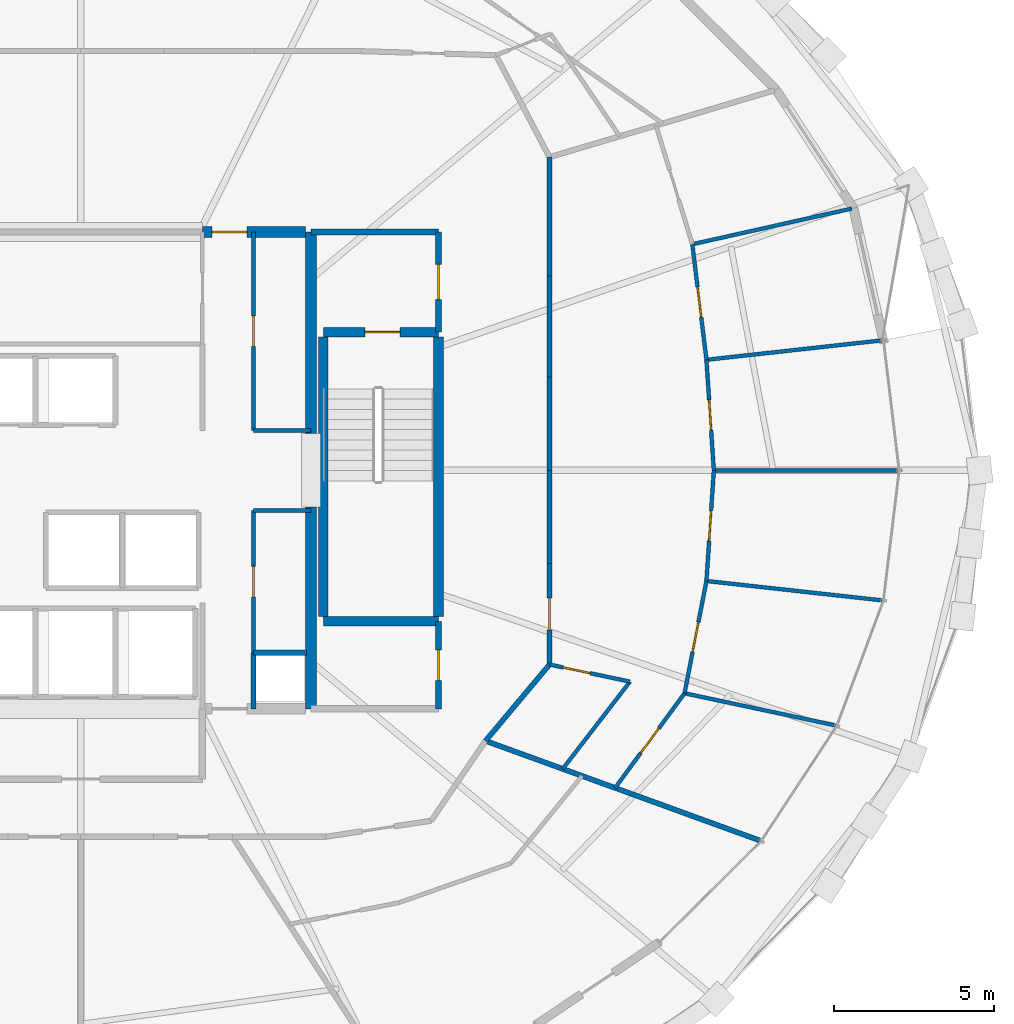
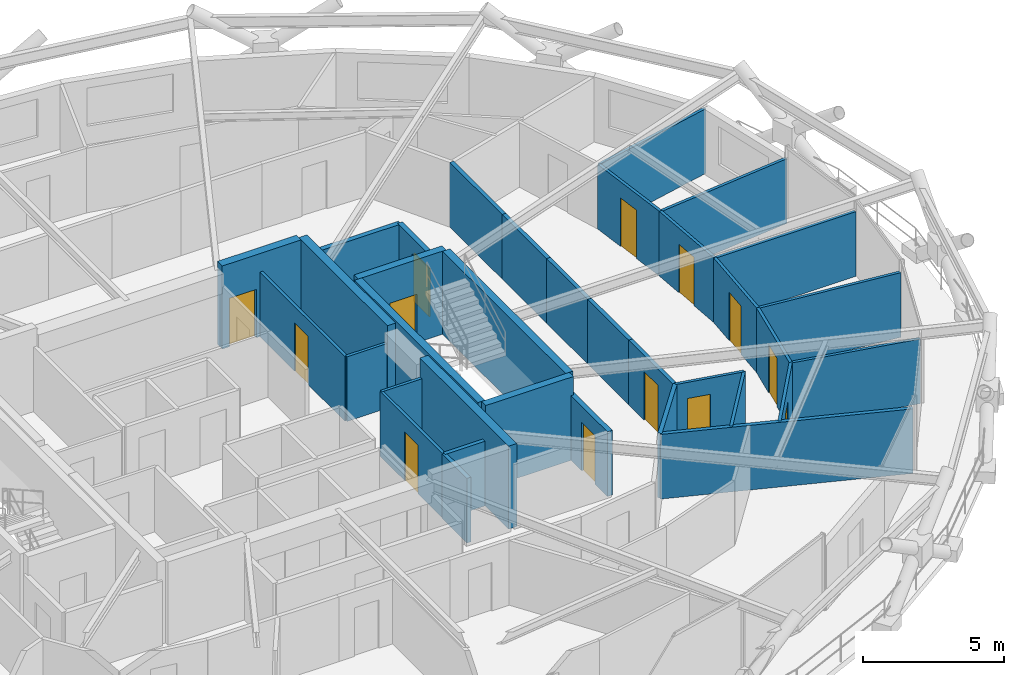
# One storey, part 16 of 19: 35 walls, 13 doors, 13 openings.
"""IFC4 building model written with IfcOpenShell, lengths in metres."""

from ifc_helpers import new_model, si_unit, direction, frame, frame_2d, origin, place, context, subcontext, project, spatial, rectangle, extrude, material, layer, layer_set, type_object, element, fill, save


model = new_model("IFC4")

# Units and contexts
model_context = context("Model", 3, precision=1e-05, world=origin(), true_north=direction((0.0, 1.0)))
body_context = subcontext(model_context, "Body", "Model", "MODEL_VIEW")
ifc_project = project(units=[si_unit("LENGTHUNIT", "METRE"), si_unit("AREAUNIT", "SQUARE_METRE"), si_unit("VOLUMEUNIT", "CUBIC_METRE"), si_unit("PLANEANGLEUNIT", "RADIAN"), si_unit("MASSUNIT", "GRAM", prefix="KILO")], contexts=[model_context])

# Site, building, storey
site_placement = place(None, origin())
site = spatial("IfcSite", under=ifc_project, at=site_placement, CompositionType="ELEMENT")
building_placement = place(site_placement, origin())
building = spatial("IfcBuilding", under=site, at=building_placement, Name="Veldorina Hangang Commons", CompositionType="ELEMENT")
storey_placement = place(building_placement, frame((0.0, 0.0, 167.60009765625)))
storey = spatial("IfcBuildingStorey", under=building, at=storey_placement, Name="L43", CompositionType="ELEMENT", Elevation=167.60009765625)

# Walls
ifc_material_1 = material(Name="Concrete C60/75", Category="concrete")
ifc_layer_1 = layer(ifc_material_1, 0.340087890625)
ifc_layer_set_1 = layer_set([ifc_layer_1], Name="Concrete C60/75")
wall_type_1 = type_object("IfcWallType", Name="CW-RC340-C60", PredefinedType="SHEAR", material=ifc_layer_set_1)
for number, where, z_axis, x_axis, name in (
    (1, (39.199951171875, 16.550048828125, 0.0), (0.0, 0.0, 1.0), (0.0, 1.0, 0.0), "L43 E south core shear wall"),
    (2, (39.199951171875, 25.14990234375, 0.0), (0.0, 0.0, 1.0), (0.0, 1.0, 0.0), "L43 E north core shear wall"),
):
    element("IfcWall", number, at=place(storey_placement, frame(where, z_axis=z_axis, x_axis=x_axis)), inside=storey, type_object=wall_type_1, Name=name, PredefinedType="SHEAR", context=body_context, shape_type="SweptSolid", body=[
        extrude(rectangle(XDim=6.300048828125, YDim=0.340087890625, at=frame_2d((3.14990234375, 0.0))), origin(), (0.0, 0.0, 1.0), 3.599853515625),
    ])

# Wall, opening, door
wall_1_placement = place(storey_placement, frame((35.800048828125, 31.449951171875, 0.0), z_axis=(0.0, 0.0, 1.0), x_axis=(1.0, 0.0, 0.0)))
wall_1 = element("IfcWall", 3, at=wall_1_placement, inside=storey, type_object=wall_type_1, Name="L43 north-east core shear wall", PredefinedType="SHEAR", context=body_context, shape_type="SweptSolid", body=[
    extrude(rectangle(XDim=3.22998046875, YDim=0.340087890625, at=frame_2d((1.614990234375, 0.0))), origin(), (0.0, 0.0, 1.0), 3.599853515625),
])
opening_1_placement = place(wall_1_placement, frame((0.300048828125, 0.0, 0.0)))
opening_1 = element("IfcOpeningElement", 4, at=opening_1_placement, cuts=wall_1, Name="Opening D-08", PredefinedType="OPENING", context=body_context, shape_type="SweptSolid", body=[
    extrude(rectangle(XDim=1.10009765625, YDim=2.10009765625, at=frame_2d((0.550048828125, 1.050048828125))), frame((0.0, 0.18017578125, 0.0), z_axis=(0.0, -1.0, 0.0), x_axis=(1.0, 0.0, 0.0)), (0.0, 0.0, 1.0), 0.360107421875),
])
ifc_material_2 = material(Name="Steel Fire-Rated Smoke Seal", Category="steel")
door_type_1 = type_object("IfcDoorType", Name="DR-FIRE-1100", OperationType="SINGLE_SWING_RIGHT", PredefinedType="DOOR", material=ifc_material_2)
door_1_placement = place(opening_1_placement, origin())
door_1 = element("IfcDoor", 5, at=door_1_placement, inside=storey, type_object=door_type_1, Name="L43 central lift lobby north corridor door", OperationType="SINGLE_SWING_LEFT", OverallHeight=2.10009765625, OverallWidth=1.10009765625, PredefinedType="DOOR", context=body_context, shape_type="SweptSolid", body=[
    extrude(rectangle(XDim=1.10009765625, YDim=2.10009765625, at=frame_2d((0.550048828125, 1.050048828125))), frame((0.0, 0.02490234375, 0.0), z_axis=(0.0, -1.0, 0.0), x_axis=(1.0, 0.0, 0.0)), (0.0, 0.0, 1.0), 0.050048828125),
])
fill(opening_1, door_1)

# Walls
ifc_material_3 = material(Name="Concrete C50/60", Category="concrete")
ifc_layer_2 = layer(ifc_material_3, 0.300048828125)
ifc_layer_set_2 = layer_set([ifc_layer_2], Name="Concrete C50/60")
wall_type_2 = type_object("IfcWallType", Name="SW-STAIR-300", PredefinedType="SHEAR", material=ifc_layer_set_2)
for number, where, z_axis, x_axis, name in (
    (6, (43.179931640625, 19.429931640625, 0.0), (0.0, 0.0, 1.0), (0.0, 1.0, 0.0), "L43 ST2 outer stair shear wall"),
    (7, (39.580078125, 19.429931640625, 0.0), (0.0, 0.0, 1.0), (0.0, 1.0, 0.0), "L43 ST2 inner stair shear wall"),
):
    element("IfcWall", number, at=place(storey_placement, frame(where, z_axis=z_axis, x_axis=x_axis)), inside=storey, type_object=wall_type_2, Name=name, PredefinedType="SHEAR", context=body_context, shape_type="SweptSolid", body=[
        extrude(rectangle(XDim=8.739990234375, YDim=0.300048828125, at=frame_2d((4.3701171875, 0.0))), origin(), (0.0, 0.0, 1.0), 3.599853515625),
    ])
wall_2_placement = place(storey_placement, frame((39.580078125, 19.280029296875, 0.0), z_axis=(0.0, 0.0, 1.0), x_axis=(1.0, 0.0, 0.0)))
element("IfcWall", 8, at=wall_2_placement, inside=storey, type_object=wall_type_2, Name="L43 ST2 south stair shear wall", PredefinedType="SHEAR", context=body_context, shape_type="SweptSolid", body=[
    extrude(rectangle(XDim=3.599853515625, YDim=0.300048828125, at=frame_2d((1.7998046875, 0.0))), origin(), (0.0, 0.0, 1.0), 3.599853515625),
])

# Wall, opening, door
wall_3_placement = place(storey_placement, frame((39.580078125, 28.320068359375, 0.0), z_axis=(0.0, 0.0, 1.0), x_axis=(1.0, 0.0, 0.0)))
wall_3 = element("IfcWall", 9, at=wall_3_placement, inside=storey, type_object=wall_type_2, Name="L43 ST2 north stair shear wall", PredefinedType="SHEAR", context=body_context, shape_type="SweptSolid", body=[
    extrude(rectangle(XDim=3.599853515625, YDim=0.300048828125, at=frame_2d((1.7998046875, 0.0))), origin(), (0.0, 0.0, 1.0), 3.599853515625),
])
opening_2_placement = place(wall_3_placement, frame((1.300048828125, 0.0, 0.0)))
opening_2 = element("IfcOpeningElement", 10, at=opening_2_placement, cuts=wall_3, Name="Opening D-08", PredefinedType="OPENING", context=body_context, shape_type="SweptSolid", body=[
    extrude(rectangle(XDim=1.10009765625, YDim=2.10009765625, at=frame_2d((0.550048828125, 1.050048828125))), frame((0.0, 0.16015625, 0.0), z_axis=(0.0, -1.0, 0.0), x_axis=(1.0, 0.0, 0.0)), (0.0, 0.0, 1.0), 0.320068359375),
])
door_2_placement = place(opening_2_placement, origin())
door_2 = element("IfcDoor", 11, at=door_2_placement, inside=storey, type_object=door_type_1, Name="L43 Special Escape Stair ST-2 door", OperationType="SINGLE_SWING_RIGHT", OverallHeight=2.10009765625, OverallWidth=1.10009765625, PredefinedType="DOOR", context=body_context, shape_type="SweptSolid", body=[
    extrude(rectangle(XDim=1.10009765625, YDim=2.10009765625, at=frame_2d((0.550048828125, 1.050048828125))), frame((0.0, 0.02490234375, 0.0), z_axis=(0.0, -1.0, 0.0), x_axis=(1.0, 0.0, 0.0)), (0.0, 0.0, 1.0), 0.050048828125),
])
fill(opening_2, door_2)

# Walls
ifc_material_4 = material(Name="Gypsum Fire-Rated Twin Stud Wall", Category="gypsum")
ifc_layer_3 = layer(ifc_material_4, 0.159912109375)
ifc_layer_set_3 = layer_set([ifc_layer_3], Name="Gypsum Fire-Rated Twin Stud Wall")
wall_type_3 = type_object("IfcWallType", Name="WL-FIRE-160", PredefinedType="SOLIDWALL", material=ifc_layer_set_3)
wall_4_placement = place(storey_placement, frame((37.39990234375, 16.550048828125, 0.0), z_axis=(0.0, 0.0, 1.0), x_axis=(0.0, 1.0, 0.0)))
element("IfcWall", 12, at=wall_4_placement, inside=storey, type_object=wall_type_3, Name="L43 Lift passage SE stub 010", PredefinedType="SOLIDWALL", context=body_context, shape_type="SweptSolid", body=[
    extrude(rectangle(XDim=1.75, YDim=0.159912109375, at=frame_2d((0.875, 0.0))), origin(), (0.0, 0.0, 1.0), 2.7998046875),
])
wall_5_placement = place(storey_placement, frame((37.39990234375, 18.300048828125, 0.0), z_axis=(0.0, 0.0, 1.0), x_axis=(1.0, 0.0, 0.0)))
element("IfcWall", 13, at=wall_5_placement, inside=storey, type_object=wall_type_3, Name="L43 Plumbing riser wall 036", PredefinedType="SOLIDWALL", context=body_context, shape_type="SweptSolid", body=[
    extrude(rectangle(XDim=1.650146484375, YDim=0.159912109375, at=frame_2d((0.8251953125, 0.0))), origin(), (0.0, 0.0, 1.0), 2.7998046875),
])
wall_6_placement = place(storey_placement, frame((46.64990234375, 24.0, 0.0), z_axis=(0.0, 0.0, 1.0), x_axis=(0.0, 1.0, 0.0)))
element("IfcWall", 14, at=wall_6_placement, inside=storey, type_object=wall_type_3, Name="L43 U-corridor outer wall 00 044", PredefinedType="SOLIDWALL", context=body_context, shape_type="SweptSolid", body=[
    extrude(rectangle(XDim=2.9140625, YDim=0.159912109375, at=frame_2d((1.45703125, 0.0))), origin(), (0.0, 0.0, 1.0), 2.7998046875),
])
wall_7_placement = place(storey_placement, frame((46.64990234375, 26.9140625, 0.0), z_axis=(0.0, 0.0, 1.0), x_axis=(0.0, 1.0, 0.0)))
element("IfcWall", 15, at=wall_7_placement, inside=storey, type_object=wall_type_3, Name="L43 U-corridor outer wall 01 045", PredefinedType="SOLIDWALL", context=body_context, shape_type="SweptSolid", body=[
    extrude(rectangle(XDim=3.154052734375, YDim=0.159912109375, at=frame_2d((1.5771484375, 0.0))), origin(), (0.0, 0.0, 1.0), 2.7998046875),
])
wall_8_placement = place(storey_placement, frame((46.64990234375, 30.068115234375, 0.0), z_axis=(0.0, 0.0, 1.0), x_axis=(0.0, 1.0, 0.0)))
element("IfcWall", 16, at=wall_8_placement, inside=storey, type_object=wall_type_3, Name="L43 U-corridor outer wall 02 046", PredefinedType="SOLIDWALL", context=body_context, shape_type="SweptSolid", body=[
    extrude(rectangle(XDim=3.720703125, YDim=0.159912109375, at=frame_2d((1.8603515625, 0.0))), origin(), (0.0, 0.0, 1.0), 2.7998046875),
])
wall_9_placement = place(storey_placement, frame((44.64990234375, 15.547607421875, 0.0), z_axis=(0.0, 0.0, 1.0), x_axis=(0.642665742791, 0.76614668507, 0.0)))
element("IfcWall", 17, at=wall_9_placement, inside=storey, type_object=wall_type_3, Name="L43 U-corridor outer wall 29 073", PredefinedType="SOLIDWALL", context=body_context, shape_type="SweptSolid", body=[
    extrude(rectangle(XDim=3.112060546875, YDim=0.159912109375, at=frame_2d((1.55615234375, 0.0))), origin(), (0.0, 0.0, 1.0), 2.7998046875),
])

# Wall, opening, door
wall_10_placement = place(storey_placement, frame((46.64990234375, 17.931884765625, 0.0), z_axis=(0.0, 0.0, 1.0), x_axis=(0.0, 1.0, 0.0)))
wall_10 = element("IfcWall", 18, at=wall_10_placement, inside=storey, type_object=wall_type_3, Name="L43 U-corridor outer wall 30 074", PredefinedType="SOLIDWALL", context=body_context, shape_type="SweptSolid", body=[
    extrude(rectangle(XDim=3.154052734375, YDim=0.159912109375, at=frame_2d((1.5771484375, 0.0))), origin(), (0.0, 0.0, 1.0), 2.7998046875),
])
opening_3_placement = place(wall_10_placement, frame((1.0771484375, 0.0, 0.0)))
opening_3 = element("IfcOpeningElement", 19, at=opening_3_placement, cuts=wall_10, Name="Opening D-06", PredefinedType="OPENING", context=body_context, shape_type="SweptSolid", body=[
    extrude(rectangle(XDim=1.0, YDim=2.10009765625, at=frame_2d((0.5, 1.050048828125))), frame((0.0, 0.08984375, 0.0), z_axis=(0.0, -1.0, 0.0), x_axis=(1.0, 0.0, 0.0)), (0.0, 0.0, 1.0), 0.179931640625),
])
ifc_material_5 = material(Name="Timber Fire-Rated Entrance Core", Category="wood")
door_type_2 = type_object("IfcDoorType", Name="DR-UNIT-1000", OperationType="SINGLE_SWING_LEFT", PredefinedType="DOOR", material=ifc_material_5)
door_3_placement = place(opening_3_placement, origin())
door_3 = element("IfcDoor", 20, at=door_3_placement, inside=storey, type_object=door_type_2, Name="L43 Cluster 2 entrance door 019", OperationType="SINGLE_SWING_LEFT", OverallHeight=2.10009765625, OverallWidth=1.0, PredefinedType="DOOR", context=body_context, shape_type="SweptSolid", body=[
    extrude(rectangle(XDim=1.0, YDim=2.10009765625, at=frame_2d((0.5, 1.050048828125))), frame((0.0, 0.02490234375, 0.0), z_axis=(0.0, -1.0, 0.0), x_axis=(1.0, 0.0, 0.0)), (0.0, 0.0, 1.0), 0.050048828125),
])
fill(opening_3, door_3)

# Walls
wall_11_placement = place(storey_placement, frame((46.64990234375, 21.0859375, 0.0), z_axis=(0.0, 0.0, 1.0), x_axis=(0.0, 1.0, 0.0)))
element("IfcWall", 21, at=wall_11_placement, inside=storey, type_object=wall_type_3, Name="L43 U-corridor outer wall 31 075", PredefinedType="SOLIDWALL", context=body_context, shape_type="SweptSolid", body=[
    extrude(rectangle(XDim=2.9140625, YDim=0.159912109375, at=frame_2d((1.45703125, 0.0))), origin(), (0.0, 0.0, 1.0), 2.7998046875),
])
wall_12_placement = place(storey_placement, frame((44.64990234375, 15.547607421875, 0.0), z_axis=(0.0, 0.0, 1.0), x_axis=(0.93991222373, -0.341416185443, 0.0)))
element("IfcWall", 22, at=wall_12_placement, inside=storey, type_object=wall_type_3, Name="L43 Unit party wall 29 080", PredefinedType="SOLIDWALL", context=body_context, shape_type="SweptSolid", body=[
    extrude(rectangle(XDim=9.115966796875, YDim=0.159912109375, at=frame_2d((4.55810546875, 0.0))), origin(), (0.0, 0.0, 1.0), 2.7998046875),
])

# Wall, opening, door
ifc_material_6 = material(Name="Concrete Blockwork Fire Wall C30/37", Category="masonry")
ifc_layer_4 = layer(ifc_material_6, 0.199951171875)
ifc_layer_set_4 = layer_set([ifc_layer_4], Name="Concrete Blockwork Fire Wall C30/37")
wall_type_4 = type_object("IfcWallType", Name="WL-FIRE-200", PredefinedType="SOLIDWALL", material=ifc_layer_set_4)
wall_13_placement = place(storey_placement, frame((43.179931640625, 28.320068359375, 0.0), z_axis=(0.0, 0.0, 1.0), x_axis=(0.0, 1.0, 0.0)))
wall_13 = element("IfcWall", 23, at=wall_13_placement, inside=storey, type_object=wall_type_4, Name="L43 East vestibule outer wall 003", PredefinedType="SOLIDWALL", context=body_context, shape_type="SweptSolid", body=[
    extrude(rectangle(XDim=3.1298828125, YDim=0.199951171875, at=frame_2d((1.56494140625, 0.0))), origin(), (0.0, 0.0, 1.0), 2.7998046875),
])
opening_4_placement = place(wall_13_placement, frame((1.014892578125, 0.0, 0.0)))
opening_4 = element("IfcOpeningElement", 24, at=opening_4_placement, cuts=wall_13, Name="Opening D-08", PredefinedType="OPENING", context=body_context, shape_type="SweptSolid", body=[
    extrude(rectangle(XDim=1.10009765625, YDim=2.10009765625, at=frame_2d((0.550048828125, 1.050048828125))), frame((0.0, 0.10986328125, 0.0), z_axis=(0.0, -1.0, 0.0), x_axis=(1.0, 0.0, 0.0)), (0.0, 0.0, 1.0), 0.219970703125),
])
door_4_placement = place(opening_4_placement, origin())
door_4 = element("IfcDoor", 25, at=door_4_placement, inside=storey, type_object=door_type_1, Name="L43 East vestibule east door 002", OperationType="SINGLE_SWING_RIGHT", OverallHeight=2.10009765625, OverallWidth=1.10009765625, PredefinedType="DOOR", context=body_context, shape_type="SweptSolid", body=[
    extrude(rectangle(XDim=1.10009765625, YDim=2.10009765625, at=frame_2d((0.550048828125, 1.050048828125))), frame((0.0, 0.02490234375, 0.0), z_axis=(0.0, -1.0, 0.0), x_axis=(1.0, 0.0, 0.0)), (0.0, 0.0, 1.0), 0.050048828125),
])
fill(opening_4, door_4)

# Wall
wall_14_placement = place(storey_placement, frame((39.199951171875, 31.449951171875, 0.0), z_axis=(0.0, 0.0, 1.0), x_axis=(1.0, 0.0, 0.0)))
element("IfcWall", 26, at=wall_14_placement, inside=storey, type_object=wall_type_4, Name="L43 East vestibule north wall 004", PredefinedType="SOLIDWALL", context=body_context, shape_type="SweptSolid", body=[
    extrude(rectangle(XDim=3.97998046875, YDim=0.199951171875, at=frame_2d((1.989990234375, 0.0))), origin(), (0.0, 0.0, 1.0), 2.7998046875),
])

# Wall, opening, door
wall_15_placement = place(storey_placement, frame((43.179931640625, 16.550048828125, 0.0), z_axis=(0.0, 0.0, 1.0), x_axis=(0.0, 1.0, 0.0)))
wall_15 = element("IfcWall", 27, at=wall_15_placement, inside=storey, type_object=wall_type_4, Name="L43 SE core room outer wall 007", PredefinedType="SOLIDWALL", context=body_context, shape_type="SweptSolid", body=[
    extrude(rectangle(XDim=2.72998046875, YDim=0.199951171875, at=frame_2d((1.364990234375, 0.0))), origin(), (0.0, 0.0, 1.0), 2.7998046875),
])
opening_5_placement = place(wall_15_placement, frame((0.889892578125, 0.0, 0.0)))
opening_5 = element("IfcOpeningElement", 28, at=opening_5_placement, cuts=wall_15, Name="Opening D-02", PredefinedType="OPENING", context=body_context, shape_type="SweptSolid", body=[
    extrude(rectangle(XDim=0.949951171875, YDim=2.10009765625, at=frame_2d((0.47509765625, 1.050048828125))), frame((0.0, 0.10986328125, 0.0), z_axis=(0.0, -1.0, 0.0), x_axis=(1.0, 0.0, 0.0)), (0.0, 0.0, 1.0), 0.219970703125),
])
ifc_material_7 = material(Name="Timber Solid Core Acoustic", Category="wood")
door_type_3 = type_object("IfcDoorType", Name="DR-INT-950", OperationType="SINGLE_SWING_LEFT", PredefinedType="DOOR", material=ifc_material_7)
door_5_placement = place(opening_5_placement, origin())
door_5 = element("IfcDoor", 29, at=door_5_placement, inside=storey, type_object=door_type_3, Name="L43 SE core WC door 004", OperationType="SINGLE_SWING_RIGHT", OverallHeight=2.10009765625, OverallWidth=0.949951171875, PredefinedType="DOOR", context=body_context, shape_type="SweptSolid", body=[
    extrude(rectangle(XDim=0.949951171875, YDim=2.10009765625, at=frame_2d((0.47509765625, 1.050048828125))), frame((0.0, 0.02490234375, 0.0), z_axis=(0.0, -1.0, 0.0), x_axis=(1.0, 0.0, 0.0)), (0.0, 0.0, 1.0), 0.050048828125),
])
fill(opening_5, door_5)

ifc_material_8 = material(Name="Gypsum Acoustic Stud Partition", Category="gypsum")
ifc_layer_5 = layer(ifc_material_8, 0.1201171875)
ifc_layer_set_5 = layer_set([ifc_layer_5], Name="Gypsum Acoustic Stud Partition")
wall_type_5 = type_object("IfcWallType", Name="WL-PART-120", PredefinedType="PARTITIONING", material=ifc_layer_set_5)
wall_16_placement = place(storey_placement, frame((37.39990234375, 25.25, 0.0), z_axis=(0.0, 0.0, 1.0), x_axis=(0.0, 1.0, 0.0)))
wall_16 = element("IfcWall", 30, at=wall_16_placement, inside=storey, type_object=wall_type_5, Name="L43 NE strip lobby wall 040", PredefinedType="PARTITIONING", context=body_context, shape_type="SweptSolid", body=[
    extrude(rectangle(XDim=6.199951171875, YDim=0.1201171875, at=frame_2d((3.10009765625, 0.0))), origin(), (0.0, 0.0, 1.0), 2.7998046875),
])
opening_6_placement = place(wall_16_placement, frame((2.625, 0.0, 0.0)))
opening_6 = element("IfcOpeningElement", 31, at=opening_6_placement, cuts=wall_16, Name="Opening D-02", PredefinedType="OPENING", context=body_context, shape_type="SweptSolid", body=[
    extrude(rectangle(XDim=0.949951171875, YDim=2.10009765625, at=frame_2d((0.47509765625, 1.050048828125))), frame((0.0, 0.070068359375, 0.0), z_axis=(0.0, -1.0, 0.0), x_axis=(1.0, 0.0, 0.0)), (0.0, 0.0, 1.0), 0.14013671875),
])
door_6_placement = place(opening_6_placement, origin())
door_6 = element("IfcDoor", 32, at=door_6_placement, inside=storey, type_object=door_type_3, Name="L43 Comms room door 014", OperationType="SINGLE_SWING_RIGHT", OverallHeight=2.10009765625, OverallWidth=0.949951171875, PredefinedType="DOOR", context=body_context, shape_type="SweptSolid", body=[
    extrude(rectangle(XDim=0.949951171875, YDim=2.10009765625, at=frame_2d((0.47509765625, 1.050048828125))), frame((0.0, 0.02490234375, 0.0), z_axis=(0.0, -1.0, 0.0), x_axis=(1.0, 0.0, 0.0)), (0.0, 0.0, 1.0), 0.050048828125),
])
fill(opening_6, door_6)

# Wall
wall_17_placement = place(storey_placement, frame((37.39990234375, 25.25, 0.0), z_axis=(0.0, 0.0, 1.0), x_axis=(1.0, 0.0, 0.0)))
element("IfcWall", 33, at=wall_17_placement, inside=storey, type_object=wall_type_5, Name="L43 NE strip south return wall 041", PredefinedType="PARTITIONING", context=body_context, shape_type="SweptSolid", body=[
    extrude(rectangle(XDim=1.800048828125, YDim=0.1201171875, at=frame_2d((0.89990234375, 0.0))), origin(), (0.0, 0.0, 1.0), 2.7998046875),
])

# Wall, opening, door
wall_18_placement = place(storey_placement, frame((37.39990234375, 18.300048828125, 0.0), z_axis=(0.0, 0.0, 1.0), x_axis=(0.0, 1.0, 0.0)))
wall_18 = element("IfcWall", 34, at=wall_18_placement, inside=storey, type_object=wall_type_5, Name="L43 SE strip lobby wall 042", PredefinedType="PARTITIONING", context=body_context, shape_type="SweptSolid", body=[
    extrude(rectangle(XDim=4.449951171875, YDim=0.1201171875, at=frame_2d((2.22509765625, 0.0))), origin(), (0.0, 0.0, 1.0), 2.7998046875),
])
opening_7_placement = place(wall_18_placement, frame((1.75, 0.0, 0.0)))
opening_7 = element("IfcOpeningElement", 35, at=opening_7_placement, cuts=wall_18, Name="Opening D-02", PredefinedType="OPENING", context=body_context, shape_type="SweptSolid", body=[
    extrude(rectangle(XDim=0.949951171875, YDim=2.10009765625, at=frame_2d((0.47509765625, 1.050048828125))), frame((0.0, 0.070068359375, 0.0), z_axis=(0.0, -1.0, 0.0), x_axis=(1.0, 0.0, 0.0)), (0.0, 0.0, 1.0), 0.14013671875),
])
door_7_placement = place(opening_7_placement, origin())
door_7 = element("IfcDoor", 36, at=door_7_placement, inside=storey, type_object=door_type_3, Name="L43 BMS closet door 015", OperationType="SINGLE_SWING_LEFT", OverallHeight=2.10009765625, OverallWidth=0.949951171875, PredefinedType="DOOR", context=body_context, shape_type="SweptSolid", body=[
    extrude(rectangle(XDim=0.949951171875, YDim=2.10009765625, at=frame_2d((0.47509765625, 1.050048828125))), frame((0.0, 0.02490234375, 0.0), z_axis=(0.0, -1.0, 0.0), x_axis=(1.0, 0.0, 0.0)), (0.0, 0.0, 1.0), 0.050048828125),
])
fill(opening_7, door_7)

# Walls
wall_19_placement = place(storey_placement, frame((37.39990234375, 22.75, 0.0), z_axis=(0.0, 0.0, 1.0), x_axis=(1.0, 0.0, 0.0)))
element("IfcWall", 37, at=wall_19_placement, inside=storey, type_object=wall_type_5, Name="L43 SE strip north return wall 043", PredefinedType="PARTITIONING", context=body_context, shape_type="SweptSolid", body=[
    extrude(rectangle(XDim=1.800048828125, YDim=0.1201171875, at=frame_2d((0.89990234375, 0.0))), origin(), (0.0, 0.0, 1.0), 2.7998046875),
])
wall_20_placement = place(storey_placement, frame((47.062255859375, 14.67138671875, 0.0), z_axis=(0.0, 0.0, 1.0), x_axis=(0.610625572527, 0.791919446772, 0.0)))
element("IfcWall", 38, at=wall_20_placement, inside=storey, type_object=wall_type_5, Name="L43 Cluster 2 bath front wall 081", PredefinedType="PARTITIONING", context=body_context, shape_type="SweptSolid", body=[
    extrude(rectangle(XDim=3.442138671875, YDim=0.1201171875, at=frame_2d((1.72119140625, 0.0))), origin(), (0.0, 0.0, 1.0), 2.7998046875),
])

# Wall, opening, door
wall_21_placement = place(storey_placement, frame((46.64990234375, 17.931884765625, 0.0), z_axis=(0.0, 0.0, 1.0), x_axis=(0.978126492025, -0.208010974707, 0.0)))
wall_21 = element("IfcWall", 39, at=wall_21_placement, inside=storey, type_object=wall_type_5, Name="L43 Cluster 2 bath side wall 082", PredefinedType="PARTITIONING", context=body_context, shape_type="SweptSolid", body=[
    extrude(rectangle(XDim=2.5703125, YDim=0.1201171875, at=frame_2d((1.28515625, 0.0))), origin(), (0.0, 0.0, 1.0), 2.7998046875),
])
opening_8_placement = place(wall_21_placement, frame((0.43994140625, 0.0, 0.0)))
opening_8 = element("IfcOpeningElement", 40, at=opening_8_placement, cuts=wall_21, Name="Opening D-01", PredefinedType="OPENING", context=body_context, shape_type="SweptSolid", body=[
    extrude(rectangle(XDim=0.860107421875, YDim=2.10009765625, at=frame_2d((0.43017578125, 1.050048828125))), frame((0.0, 0.070068359375, 0.0), z_axis=(0.0, -1.0, 0.0), x_axis=(1.0, 0.0, 0.0)), (0.0, 0.0, 1.0), 0.14013671875),
])
ifc_material_9 = material(Name="Timber Moisture-Resistant Core", Category="wood")
door_type_4 = type_object("IfcDoorType", Name="DR-WET-860", OperationType="SINGLE_SWING_LEFT", PredefinedType="DOOR", material=ifc_material_9)
door_8_placement = place(opening_8_placement, origin())
door_8 = element("IfcDoor", 41, at=door_8_placement, inside=storey, type_object=door_type_4, Name="L43 Cluster 2 shared bathroom door 018", OperationType="SINGLE_SWING_RIGHT", OverallHeight=2.10009765625, OverallWidth=0.860107421875, PredefinedType="DOOR", context=body_context, shape_type="SweptSolid", body=[
    extrude(rectangle(XDim=0.860107421875, YDim=2.10009765625, at=frame_2d((0.43017578125, 1.050048828125))), frame((0.0, 0.02490234375, 0.0), z_axis=(0.0, -1.0, 0.0), x_axis=(1.0, 0.0, 0.0)), (0.0, 0.0, 1.0), 0.050048828125),
])
fill(opening_8, door_8)

wall_22_placement = place(storey_placement, frame((48.698974609375, 14.07666015625, 0.0), z_axis=(0.0, 0.0, 1.0), x_axis=(0.591727106309, 0.806138345235, 0.0)))
wall_22 = element("IfcWall", 42, at=wall_22_placement, inside=storey, type_object=wall_type_5, Name="L43 Cluster 2 bed 1 front wall 083", PredefinedType="PARTITIONING", context=body_context, shape_type="SweptSolid", body=[
    extrude(rectangle(XDim=3.668701171875, YDim=0.1201171875, at=frame_2d((1.83447265625, 0.0))), origin(), (0.0, 0.0, 1.0), 2.7998046875),
])
opening_9_placement = place(wall_22_placement, frame((1.359375, 0.0, 0.0)))
opening_9 = element("IfcOpeningElement", 43, at=opening_9_placement, cuts=wall_22, Name="Opening D-02", PredefinedType="OPENING", context=body_context, shape_type="SweptSolid", body=[
    extrude(rectangle(XDim=0.949951171875, YDim=2.10009765625, at=frame_2d((0.47509765625, 1.050048828125))), frame((0.0, 0.070068359375, 0.0), z_axis=(0.0, -1.0, 0.0), x_axis=(1.0, 0.0, 0.0)), (0.0, 0.0, 1.0), 0.14013671875),
])
door_9_placement = place(opening_9_placement, origin())
door_9 = element("IfcDoor", 44, at=door_9_placement, inside=storey, type_object=door_type_3, Name="L43 Cluster 2 bed 1 door 020", OperationType="SINGLE_SWING_RIGHT", OverallHeight=2.10009765625, OverallWidth=0.949951171875, PredefinedType="DOOR", context=body_context, shape_type="SweptSolid", body=[
    extrude(rectangle(XDim=0.949951171875, YDim=2.10009765625, at=frame_2d((0.47509765625, 1.050048828125))), frame((0.0, 0.02490234375, 0.0), z_axis=(0.0, -1.0, 0.0), x_axis=(1.0, 0.0, 0.0)), (0.0, 0.0, 1.0), 0.050048828125),
])
fill(opening_9, door_9)

wall_23_placement = place(storey_placement, frame((50.869873046875, 17.0341796875, 0.0), z_axis=(0.0, 0.0, 1.0), x_axis=(0.191308228285, 0.981530010642, 0.0)))
wall_23 = element("IfcWall", 45, at=wall_23_placement, inside=storey, type_object=wall_type_5, Name="L43 Cluster 2 bed 2 front wall 084", PredefinedType="PARTITIONING", context=body_context, shape_type="SweptSolid", body=[
    extrude(rectangle(XDim=3.575927734375, YDim=0.1201171875, at=frame_2d((1.7880859375, 0.0))), origin(), (0.0, 0.0, 1.0), 2.7998046875),
])
opening_10_placement = place(wall_23_placement, frame((1.31298828125, 0.0, 0.0)))
opening_10 = element("IfcOpeningElement", 46, at=opening_10_placement, cuts=wall_23, Name="Opening D-02", PredefinedType="OPENING", context=body_context, shape_type="SweptSolid", body=[
    extrude(rectangle(XDim=0.949951171875, YDim=2.10009765625, at=frame_2d((0.47509765625, 1.050048828125))), frame((0.0, 0.070068359375, 0.0), z_axis=(0.0, -1.0, 0.0), x_axis=(1.0, 0.0, 0.0)), (0.0, 0.0, 1.0), 0.14013671875),
])
door_10_placement = place(opening_10_placement, origin())
door_10 = element("IfcDoor", 47, at=door_10_placement, inside=storey, type_object=door_type_3, Name="L43 Cluster 2 bed 2 door 021", OperationType="SINGLE_SWING_LEFT", OverallHeight=2.10009765625, OverallWidth=0.949951171875, PredefinedType="DOOR", context=body_context, shape_type="SweptSolid", body=[
    extrude(rectangle(XDim=0.949951171875, YDim=2.10009765625, at=frame_2d((0.47509765625, 1.050048828125))), frame((0.0, 0.02490234375, 0.0), z_axis=(0.0, -1.0, 0.0), x_axis=(1.0, 0.0, 0.0)), (0.0, 0.0, 1.0), 0.050048828125),
])
fill(opening_10, door_10)

# Wall
wall_24_placement = place(storey_placement, frame((50.869873046875, 17.0341796875, 0.0), z_axis=(0.0, 0.0, 1.0), x_axis=(0.978131394448, -0.207987920793, 0.0)))
element("IfcWall", 48, at=wall_24_placement, inside=storey, type_object=wall_type_5, Name="L43 Cluster 2 bed divider 1 085", PredefinedType="PARTITIONING", context=body_context, shape_type="SweptSolid", body=[
    extrude(rectangle(XDim=4.81494140625, YDim=0.1201171875, at=frame_2d((2.407470703125, 0.0))), origin(), (0.0, 0.0, 1.0), 2.7998046875),
])

# Wall, opening, door
wall_25_placement = place(storey_placement, frame((51.553955078125, 20.5439453125, 0.0), z_axis=(0.0, 0.0, 1.0), x_axis=(0.066678066977, 0.997774541359, 0.0)))
wall_25 = element("IfcWall", 49, at=wall_25_placement, inside=storey, type_object=wall_type_5, Name="L43 Cluster 2 bed 3 front wall 086", PredefinedType="PARTITIONING", context=body_context, shape_type="SweptSolid", body=[
    extrude(rectangle(XDim=3.4638671875, YDim=0.1201171875, at=frame_2d((1.73193359375, 0.0))), origin(), (0.0, 0.0, 1.0), 2.7998046875),
])
opening_11_placement = place(wall_25_placement, frame((1.2568359375, 0.0, 0.0)))
opening_11 = element("IfcOpeningElement", 50, at=opening_11_placement, cuts=wall_25, Name="Opening D-02", PredefinedType="OPENING", context=body_context, shape_type="SweptSolid", body=[
    extrude(rectangle(XDim=0.949951171875, YDim=2.10009765625, at=frame_2d((0.47509765625, 1.050048828125))), frame((0.0, 0.070068359375, 0.0), z_axis=(0.0, -1.0, 0.0), x_axis=(1.0, 0.0, 0.0)), (0.0, 0.0, 1.0), 0.14013671875),
])
door_11_placement = place(opening_11_placement, origin())
door_11 = element("IfcDoor", 51, at=door_11_placement, inside=storey, type_object=door_type_3, Name="L43 Cluster 2 bed 3 door 022", OperationType="SINGLE_SWING_RIGHT", OverallHeight=2.10009765625, OverallWidth=0.949951171875, PredefinedType="DOOR", context=body_context, shape_type="SweptSolid", body=[
    extrude(rectangle(XDim=0.949951171875, YDim=2.10009765625, at=frame_2d((0.47509765625, 1.050048828125))), frame((0.0, 0.02490234375, 0.0), z_axis=(0.0, -1.0, 0.0), x_axis=(1.0, 0.0, 0.0)), (0.0, 0.0, 1.0), 0.050048828125),
])
fill(opening_11, door_11)

# Wall
wall_26_placement = place(storey_placement, frame((51.553955078125, 20.5439453125, 0.0), z_axis=(0.0, 0.0, 1.0), x_axis=(0.99395212295, -0.109814285424, 0.0)))
element("IfcWall", 52, at=wall_26_placement, inside=storey, type_object=wall_type_5, Name="L43 Cluster 2 bed divider 2 087", PredefinedType="PARTITIONING", context=body_context, shape_type="SweptSolid", body=[
    extrude(rectangle(XDim=5.513671875, YDim=0.1201171875, at=frame_2d((2.7568359375, 0.0))), origin(), (0.0, 0.0, 1.0), 2.7998046875),
])

# Wall, opening, door
wall_27_placement = place(storey_placement, frame((51.784912109375, 24.0, 0.0), z_axis=(0.0, 0.0, 1.0), x_axis=(-0.066678066977, 0.997774541359, 0.0)))
wall_27 = element("IfcWall", 53, at=wall_27_placement, inside=storey, type_object=wall_type_5, Name="L43 Cluster 2 bed 4 front wall 088", PredefinedType="PARTITIONING", context=body_context, shape_type="SweptSolid", body=[
    extrude(rectangle(XDim=3.4638671875, YDim=0.1201171875, at=frame_2d((1.73193359375, 0.0))), origin(), (0.0, 0.0, 1.0), 2.7998046875),
])
opening_12_placement = place(wall_27_placement, frame((1.2568359375, 0.0, 0.0)))
opening_12 = element("IfcOpeningElement", 54, at=opening_12_placement, cuts=wall_27, Name="Opening D-02", PredefinedType="OPENING", context=body_context, shape_type="SweptSolid", body=[
    extrude(rectangle(XDim=0.949951171875, YDim=2.10009765625, at=frame_2d((0.47509765625, 1.050048828125))), frame((0.0, 0.070068359375, 0.0), z_axis=(0.0, -1.0, 0.0), x_axis=(1.0, 0.0, 0.0)), (0.0, 0.0, 1.0), 0.14013671875),
])
door_12_placement = place(opening_12_placement, origin())
door_12 = element("IfcDoor", 55, at=door_12_placement, inside=storey, type_object=door_type_3, Name="L43 Cluster 2 bed 4 door 023", OperationType="SINGLE_SWING_LEFT", OverallHeight=2.10009765625, OverallWidth=0.949951171875, PredefinedType="DOOR", context=body_context, shape_type="SweptSolid", body=[
    extrude(rectangle(XDim=0.949951171875, YDim=2.10009765625, at=frame_2d((0.47509765625, 1.050048828125))), frame((0.0, 0.02490234375, 0.0), z_axis=(0.0, -1.0, 0.0), x_axis=(1.0, 0.0, 0.0)), (0.0, 0.0, 1.0), 0.050048828125),
])
fill(opening_12, door_12)

# Wall
wall_28_placement = place(storey_placement, frame((51.784912109375, 24.0, 0.0), z_axis=(0.0, 0.0, 1.0), x_axis=(1.0, 0.0, 0.0)))
element("IfcWall", 56, at=wall_28_placement, inside=storey, type_object=wall_type_5, Name="L43 Cluster 2 bed divider 3 089", PredefinedType="PARTITIONING", context=body_context, shape_type="SweptSolid", body=[
    extrude(rectangle(XDim=5.740234375, YDim=0.1201171875, at=frame_2d((2.8701171875, 0.0))), origin(), (0.0, 0.0, 1.0), 2.7998046875),
])

# Wall, opening, door
wall_29_placement = place(storey_placement, frame((51.553955078125, 27.4560546875, 0.0), z_axis=(0.0, 0.0, 1.0), x_axis=(-0.121225369718, 0.992625009627, 0.0)))
wall_29 = element("IfcWall", 57, at=wall_29_placement, inside=storey, type_object=wall_type_5, Name="L43 Cluster 2 bed 5 front wall 090", PredefinedType="PARTITIONING", context=body_context, shape_type="SweptSolid", body=[
    extrude(rectangle(XDim=3.63720703125, YDim=0.1201171875, at=frame_2d((1.818603515625, 0.0))), origin(), (0.0, 0.0, 1.0), 2.7998046875),
])
opening_13_placement = place(wall_29_placement, frame((1.343505859375, 0.0, 0.0)))
opening_13 = element("IfcOpeningElement", 58, at=opening_13_placement, cuts=wall_29, Name="Opening D-02", PredefinedType="OPENING", context=body_context, shape_type="SweptSolid", body=[
    extrude(rectangle(XDim=0.949951171875, YDim=2.10009765625, at=frame_2d((0.47509765625, 1.050048828125))), frame((0.0, 0.070068359375, 0.0), z_axis=(0.0, -1.0, 0.0), x_axis=(1.0, 0.0, 0.0)), (0.0, 0.0, 1.0), 0.14013671875),
])
door_13_placement = place(opening_13_placement, origin())
door_13 = element("IfcDoor", 59, at=door_13_placement, inside=storey, type_object=door_type_3, Name="L43 Cluster 2 bed 5 door 024", OperationType="SINGLE_SWING_RIGHT", OverallHeight=2.10009765625, OverallWidth=0.949951171875, PredefinedType="DOOR", context=body_context, shape_type="SweptSolid", body=[
    extrude(rectangle(XDim=0.949951171875, YDim=2.10009765625, at=frame_2d((0.47509765625, 1.050048828125))), frame((0.0, 0.02490234375, 0.0), z_axis=(0.0, -1.0, 0.0), x_axis=(1.0, 0.0, 0.0)), (0.0, 0.0, 1.0), 0.050048828125),
])
fill(opening_13, door_13)

# Walls
wall_30_placement = place(storey_placement, frame((51.553955078125, 27.4560546875, 0.0), z_axis=(0.0, 0.0, 1.0), x_axis=(0.99395212295, 0.109814285424, 0.0)))
element("IfcWall", 60, at=wall_30_placement, inside=storey, type_object=wall_type_5, Name="L43 Cluster 2 bed divider 4 091", PredefinedType="PARTITIONING", context=body_context, shape_type="SweptSolid", body=[
    extrude(rectangle(XDim=5.513671875, YDim=0.1201171875, at=frame_2d((2.7568359375, 0.0))), origin(), (0.0, 0.0, 1.0), 2.7998046875),
])
wall_31_placement = place(storey_placement, frame((51.113037109375, 31.06640625, 0.0), z_axis=(0.0, 0.0, 1.0), x_axis=(0.975886929938, 0.218276659258, 0.0)))
element("IfcWall", 61, at=wall_31_placement, inside=storey, type_object=wall_type_5, Name="L43 Cluster 2 bed divider 5 093", PredefinedType="PARTITIONING", context=body_context, shape_type="SweptSolid", body=[
    extrude(rectangle(XDim=5.10693359375, YDim=0.1201171875, at=frame_2d((2.553466796875, 0.0))), origin(), (0.0, 0.0, 1.0), 2.7998046875),
])

save(model, "model.ifc")
